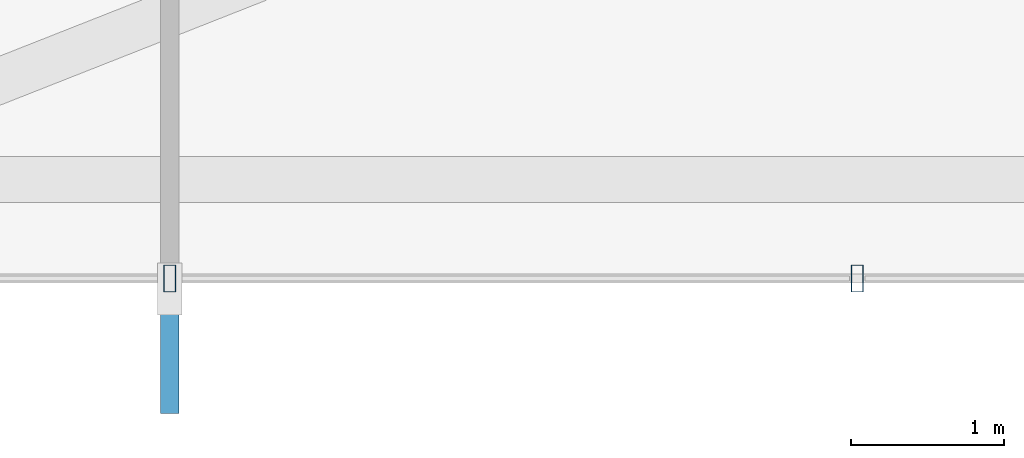
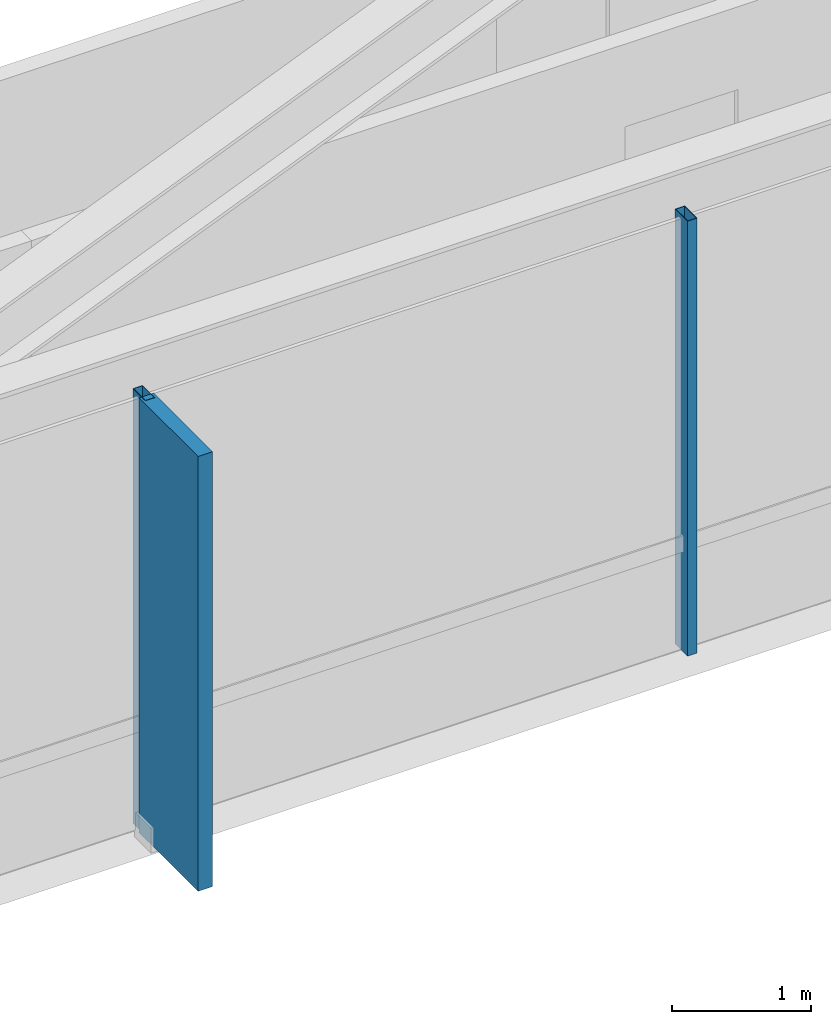
# One storey, part 6 of 24: 3 members, 1 element without a shape of its own.
"""IFC4 building model written with IfcOpenShell, lengths in metres."""

import ifcopenshell
import ifcopenshell.guid

model = None  # the IFC model being written
_history = None  # IfcOwnerHistory: only IFC2X3 demands one
_inside = {}  # id of a spatial element -> (the spatial element, [elements in it])
_under = {}  # id of a project, library or spatial element -> (it, [spatial elements below it])
_declared = {}  # id of a project -> (the project, [libraries it declares])
_typed = {}  # id of a type object -> (the type object, [elements of that type])
_made_of = {}  # id of a material, layer set ... -> (it, [elements and type objects made of it])


def new_model(schema):
    """Start an empty IFC model of exactly this schema.

    Asked for "IFC4X3", IfcOpenShell would pick the latest addendum, in which some entities
    have other attributes; the version numbers below select the first issue.
    IFC2X3 requires an IfcOwnerHistory on every rooted entity: one is made here for all.
    """
    global model, _history
    if schema == "IFC4X3":
        model = ifcopenshell.file(schema_version=(4, 3, 0, 0))
    else:
        model = ifcopenshell.file(schema=schema)
    _inside.clear()
    _under.clear()
    _declared.clear()
    _typed.clear()
    _made_of.clear()
    _history = None
    if model.schema == "IFC2X3":
        org = make("IfcOrganization", Name="unknown")
        user = make(
            "IfcPersonAndOrganization",
            ThePerson=make("IfcPerson", FamilyName="unknown"),
            TheOrganization=org,
        )
        app = make(
            "IfcApplication",
            ApplicationDeveloper=org,
            Version="unknown",
            ApplicationFullName="unknown",
            ApplicationIdentifier="unknown",
        )
        _history = make(
            "IfcOwnerHistory",
            OwningUser=user,
            OwningApplication=app,
            ChangeAction="ADDED",
            CreationDate=0,
        )
    return model


def make(cls, **values):
    """One entity of the class cls with the attributes given. An attribute that is None is left unset."""
    return model.create_entity(
        cls, **{name: value for name, value in values.items() if value is not None}
    )


def rooted(cls, **values):
    """An entity with a GlobalId (a new one), such as an element, a storey or a relation."""
    return make(cls, GlobalId=ifcopenshell.guid.new(), OwnerHistory=_history, **values)


def si_unit(unit_type, name, prefix=None):
    """IfcSIUnit, for example si_unit("LENGTHUNIT", "METRE", prefix="MILLI")."""
    return make("IfcSIUnit", UnitType=unit_type, Prefix=prefix, Name=name)


def assignment(units):
    """IfcUnitAssignment: the units of a project."""
    return None if units is None else make("IfcUnitAssignment", Units=units)


def point(xyz):
    """IfcCartesianPoint."""
    return None if xyz is None else make("IfcCartesianPoint", Coordinates=xyz)


def direction(xyz):
    """IfcDirection."""
    return None if xyz is None else make("IfcDirection", DirectionRatios=xyz)


def frame(location, z_axis=None, x_axis=None):
    """IfcAxis2Placement3D, a coordinate frame: its origin and axes. An axis left out is left unset."""
    return make(
        "IfcAxis2Placement3D",
        Location=point(location),
        Axis=direction(z_axis),
        RefDirection=direction(x_axis),
    )


def frame_2d(location, x_axis=None):
    """IfcAxis2Placement2D, a coordinate frame in the plane: its origin and x axis."""
    return make(
        "IfcAxis2Placement2D", Location=point(location), RefDirection=direction(x_axis)
    )


def origin():
    """The frame at (0, 0, 0) with its axes left unset."""
    return frame((0.0, 0.0, 0.0))


def origin_2d():
    """The frame at (0, 0) in the plane with its x axis left unset."""
    return frame_2d((0.0, 0.0))


def place(relative_to, where):
    """IfcLocalPlacement: puts the frame where relative to a parent placement (None: the world)."""
    return make(
        "IfcLocalPlacement", PlacementRelTo=relative_to, RelativePlacement=where
    )


def context(
    kind, dimensions, precision=None, world=None, true_north=None, identifier=None
):
    """IfcGeometricRepresentationContext, for example the 3D "Model" context."""
    return make(
        "IfcGeometricRepresentationContext",
        ContextIdentifier=identifier,
        ContextType=kind,
        CoordinateSpaceDimension=dimensions,
        Precision=precision,
        WorldCoordinateSystem=world,
        TrueNorth=true_north,
    )


def subcontext(parent, identifier, kind, view, scale=None):
    """IfcGeometricRepresentationSubContext, for example "Body" below "Model"."""
    return make(
        "IfcGeometricRepresentationSubContext",
        ContextIdentifier=identifier,
        ContextType=kind,
        ParentContext=parent,
        TargetScale=scale,
        TargetView=view,
    )


def project(units=None, contexts=None):
    """IfcProject with its units and contexts."""
    return rooted(
        "IfcProject",
        Name="project",
        RepresentationContexts=contexts,
        UnitsInContext=assignment(units),
    )


def spatial(cls, under=None, at=None, **own):
    """A site, building, storey or space (cls), placed at a placement, below another one or the project."""
    s = rooted(cls, ObjectPlacement=at, **own)
    if under is not None:
        _under.setdefault(under.id(), (under, []))[1].append(s)
    return s


def profile(cls, at=None, kind="AREA", **sizes):
    """A parametric profile (cls). Its sizes go by their IFC names, for example OverallWidth=200.0."""
    return make(cls, ProfileType=kind, Position=at, **sizes)


def rectangle(**sizes):
    """IfcRectangleProfileDef."""
    return profile("IfcRectangleProfileDef", **sizes)


def hollow_rectangle(**sizes):
    """IfcRectangleHollowProfileDef."""
    return profile("IfcRectangleHollowProfileDef", **sizes)


def extrude(swept, where, along, depth):
    """IfcExtrudedAreaSolid: the profile swept, set in the frame where, extruded along a direction by depth."""
    return make(
        "IfcExtrudedAreaSolid",
        SweptArea=swept,
        Position=where,
        ExtrudedDirection=direction(along),
        Depth=depth,
    )


def shape(context_of_items, identifier, shape_type, items):
    """IfcShapeRepresentation: the items that make up one representation, for example the "Body"."""
    return make(
        "IfcShapeRepresentation",
        ContextOfItems=context_of_items,
        RepresentationIdentifier=identifier,
        RepresentationType=shape_type,
        Items=items,
    )


def material(Name=None, Category=None):
    """IfcMaterial."""
    return make("IfcMaterial", Name=Name, Category=Category)


def layer(
    of_material, thickness, ventilated=None, Name=None, Category=None, Priority=None
):
    """IfcMaterialLayer: one layer of a wall or slab, of a material (None: an air gap)."""
    return make(
        "IfcMaterialLayer",
        Material=of_material,
        LayerThickness=thickness,
        IsVentilated=ventilated,
        Name=Name,
        Category=Category,
        Priority=Priority,
    )


def layer_set(layers, Name=None):
    """IfcMaterialLayerSet."""
    return make("IfcMaterialLayerSet", MaterialLayers=layers, LayerSetName=Name)


def material_profile(
    of_material, cross_section, Name=None, Category=None, Priority=None
):
    """IfcMaterialProfile: a cross section and its material."""
    return make(
        "IfcMaterialProfile",
        Name=Name,
        Material=of_material,
        Profile=cross_section,
        Priority=Priority,
        Category=Category,
    )


def profile_set(profiles, Name=None, composite=None):
    """IfcMaterialProfileSet."""
    return make(
        "IfcMaterialProfileSet",
        Name=Name,
        MaterialProfiles=profiles,
        CompositeProfile=composite,
    )


def made_of(thing, what):
    """Note that an element or type object is made of a material, layer set ...; save() writes the relation."""
    if what is not None:
        _made_of.setdefault(what.id(), (what, []))[1].append(thing)
    return thing


def type_object(cls, material=None, **own):
    """A type object (cls), such as IfcWallType, which elements share."""
    return made_of(rooted(cls, **own), material)


def element(
    cls,
    number,
    at=None,
    inside=None,
    cuts=None,
    type_object=None,
    material=None,
    context=None,
    identifier="Body",
    shape_type=None,
    held_by="IfcProductDefinitionShape",
    body=None,
    shapes=None,
    **own,
):
    """One element of the class cls, such as IfcWall. Its Tag is "e" and its number.

    at: its placement. inside: the storey or other place that contains it. cuts: it is an
    opening in that element (IfcRelVoidsElement). A single representation is given by context,
    identifier, shape_type and body (its items); several are given by shapes. held_by: the class
    of the entity that holds the representations. save() writes the other relations.
    """
    e = rooted(cls, Tag="e%d" % number, ObjectPlacement=at, **own)
    if body is not None:
        shapes = [shape(context, identifier, shape_type, body)]
    if shapes is not None:
        e.Representation = make(held_by, Representations=shapes)
    if inside is not None:
        _inside.setdefault(inside.id(), (inside, []))[1].append(e)
    if cuts is not None:
        rooted(
            "IfcRelVoidsElement", RelatingBuildingElement=cuts, RelatedOpeningElement=e
        )
    if type_object is not None:
        _typed.setdefault(type_object.id(), (type_object, []))[1].append(e)
    return made_of(e, material)


def aggregate(whole, parts):
    """IfcRelAggregates: a whole, such as a stair, and the parts it consists of."""
    return rooted("IfcRelAggregates", RelatingObject=whole, RelatedObjects=parts)


def save(model, path):
    """Write the relations noted so far, then the file.

    IfcRelAggregates (storeys below a building ...), IfcRelContainedInSpatialStructure (elements
    in a storey), IfcRelDefinesByType, IfcRelAssociatesMaterial and IfcRelDeclares: one each for
    every whole, place, type object, material and project.
    """
    for whole, parts in _under.values():
        aggregate(whole, parts)
    for where, things in _inside.values():
        rooted(
            "IfcRelContainedInSpatialStructure",
            RelatedElements=things,
            RelatingStructure=where,
        )
    for kind, things in _typed.values():
        rooted("IfcRelDefinesByType", RelatedObjects=things, RelatingType=kind)
    for what, things in _made_of.values():
        rooted("IfcRelAssociatesMaterial", RelatedObjects=things, RelatingMaterial=what)
    for by, libraries in _declared.values():
        rooted("IfcRelDeclares", RelatingContext=by, RelatedDefinitions=libraries)
    model.write(path)


model = new_model("IFC4")

# Units and contexts
model_context = context("Model", 3, precision=1e-05, world=origin(), true_north=direction((0.0, 1.0)))
body_context = subcontext(model_context, "Body", "Model", "MODEL_VIEW")
ifc_project = project(units=[si_unit("LENGTHUNIT", "METRE"), si_unit("AREAUNIT", "SQUARE_METRE"), si_unit("VOLUMEUNIT", "CUBIC_METRE"), si_unit("PLANEANGLEUNIT", "RADIAN"), si_unit("MASSUNIT", "GRAM", prefix="KILO")], contexts=[model_context])

# Site, building, storey
site_placement = place(None, origin())
site = spatial("IfcSite", under=ifc_project, at=site_placement, CompositionType="ELEMENT")
building_placement = place(site_placement, origin())
building = spatial("IfcBuilding", under=site, at=building_placement, Name="Zarrinselat Tower", CompositionType="ELEMENT")
storey_placement = place(building_placement, frame((0.0, 0.0, 96.89990234375)))
storey = spatial("IfcBuildingStorey", under=building, at=storey_placement, Name="L23", CompositionType="ELEMENT", Elevation=96.89990234375)

# Curtain wall, members
ifc_material_1 = material(Name="Extruded Aluminium Alloy EN AW-6063 T6", Category="aluminium")
ifc_layer = layer(ifc_material_1, 0.18505859375)
ifc_layer_set = layer_set([ifc_layer], Name="Extruded Aluminium Alloy EN AW-6063 T6")
curtain_wall_type = type_object("IfcCurtainWallType", Name="CWS-OFF", PredefinedType="NOTDEFINED", material=ifc_layer_set)
curtain_wall_placement = place(storey_placement, origin())
curtain_wall = element("IfcCurtainWall", 1, at=curtain_wall_placement, inside=storey, type_object=curtain_wall_type, Name="L23 Unitised Curtain Wall CW-L23-E04", PredefinedType="NOTDEFINED")
ifc_material_2 = material(Name="Extruded Aluminium Alloy EN AW-6063 T6", Category="aluminium")
ifc_material_profile_1 = material_profile(ifc_material_2, hollow_rectangle(XDim=0.080078125, YDim=0.179931640625, WallThickness=0.0048828125, at=origin_2d()), Name="RHS 180x80x5")
ifc_profile_set_1 = profile_set([ifc_material_profile_1], Name="Extruded Aluminium Alloy EN AW-6063 T6")
member_type_1 = type_object("IfcMemberType", Name="MEM-CW-MUL", PredefinedType="MULLION", material=ifc_profile_set_1)
member_1_placement = place(storey_placement, frame((32.0, 18.32568359375, 0.0), z_axis=(0.0, 0.0, 1.0), x_axis=(1.0, 0.0, 0.0)))
member_1 = element("IfcMember", 2, at=member_1_placement, type_object=member_type_1, Name="CW-L23-E04 Mullion 1", PredefinedType="MULLION", context=body_context, shape_type="SweptSolid", body=[
    extrude(hollow_rectangle(XDim=0.080078125, YDim=0.179931640625, WallThickness=0.0048828125, at=origin_2d()), origin(), (0.0, 0.0, 1.0), 3.820068359375),
])
member_2_placement = place(storey_placement, frame((36.505126953125, 18.32568359375, 0.0), z_axis=(0.0, 0.0, 1.0), x_axis=(1.0, 0.0, 0.0)))
member_2 = element("IfcMember", 3, at=member_2_placement, type_object=member_type_1, Name="CW-L23-E04 Mullion 2", PredefinedType="MULLION", context=body_context, shape_type="SweptSolid", body=[
    extrude(hollow_rectangle(XDim=0.080078125, YDim=0.179931640625, WallThickness=0.0048828125, at=origin_2d()), origin(), (0.0, 0.0, 1.0), 3.820068359375),
])
ifc_material_3 = material(Name="Honed Cream Travertine Stone", Category="masonry")
ifc_material_profile_2 = material_profile(ifc_material_3, rectangle(XDim=0.1201171875, YDim=0.85009765625, at=origin_2d()), Name="FIN 850x120")
ifc_profile_set_2 = profile_set([ifc_material_profile_2], Name="Honed Cream Travertine Stone")
member_type_2 = type_object("IfcMemberType", Name="MEM-STONE-FIN", PredefinedType="USERDEFINED", material=ifc_profile_set_2)
member_3_placement = place(storey_placement, frame((32.0, 17.865478515625, 0.0), z_axis=(0.0, 0.0, 1.0), x_axis=(-1.0, 0.0, 0.0)))
member_3 = element("IfcMember", 4, at=member_3_placement, type_object=member_type_2, Name="L23 Stone Shading Fin CW-L23-E04-01", ObjectType="FIN", PredefinedType="USERDEFINED", context=body_context, shape_type="SweptSolid", body=[
    extrude(rectangle(XDim=0.1201171875, YDim=0.85009765625, at=origin_2d()), origin(), (0.0, 0.0, 1.0), 3.820068359375),
])
aggregate(curtain_wall, [member_1, member_3, member_2])

save(model, "model.ifc")
